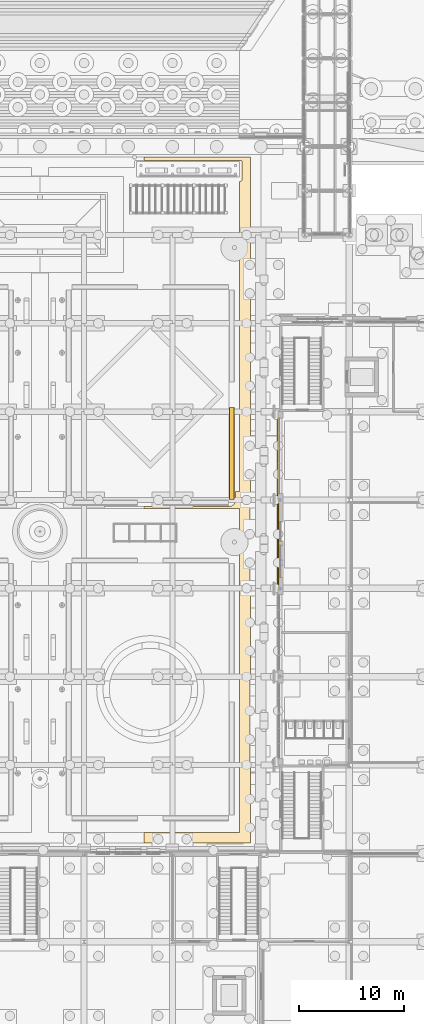
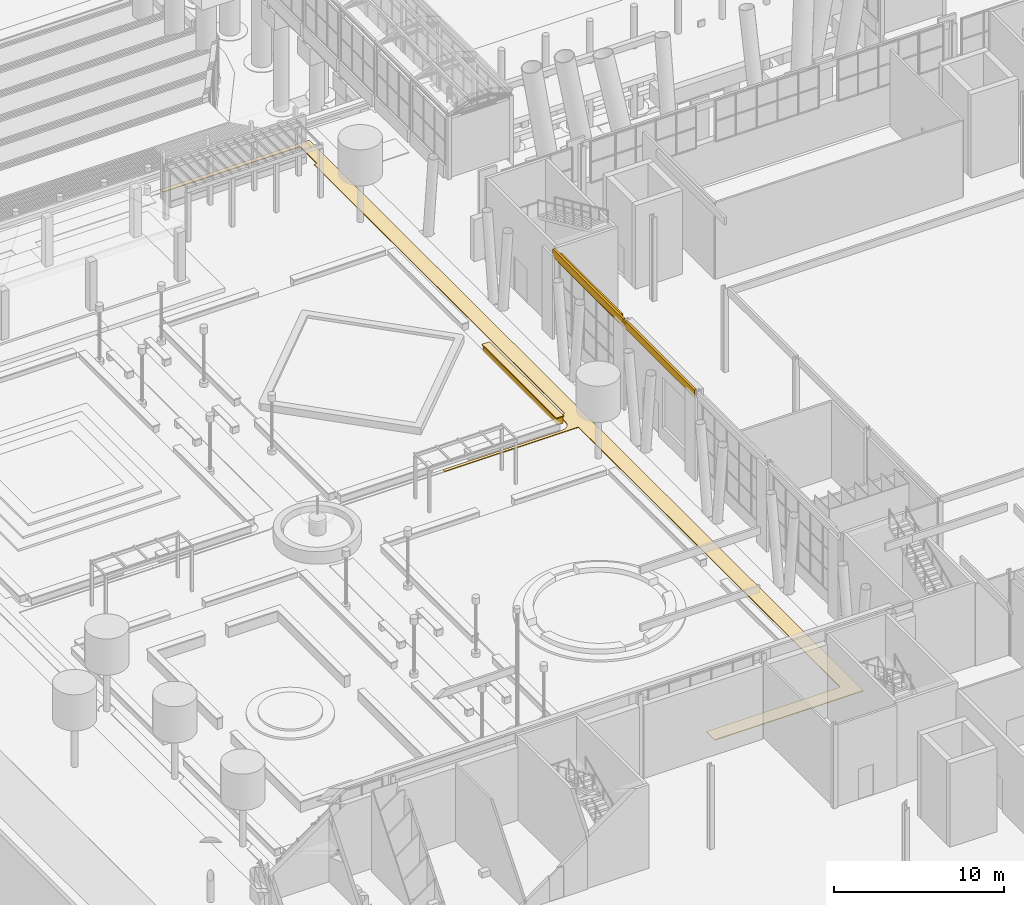
# One storey, part 143 of 222: 6 coverings.
"""IFC4 building model written with IfcOpenShell, lengths in metres."""

from ifc_helpers import new_model, si_unit, direction, frame, origin, place, context, subcontext, project, spatial, polyline, outline, extrude, material, layer, layer_set, type_object, element, save


model = new_model("IFC4")

# Units and contexts
model_context = context("Model", 3, precision=1e-05, world=origin(), true_north=direction((0.0, 1.0)))
body_context = subcontext(model_context, "Body", "Model", "MODEL_VIEW")
ifc_project = project(units=[si_unit("LENGTHUNIT", "METRE"), si_unit("AREAUNIT", "SQUARE_METRE"), si_unit("VOLUMEUNIT", "CUBIC_METRE"), si_unit("PLANEANGLEUNIT", "RADIAN"), si_unit("MASSUNIT", "GRAM", prefix="KILO")], contexts=[model_context])

# Site, building, storey
site_placement = place(None, origin())
site = spatial("IfcSite", under=ifc_project, at=site_placement, CompositionType="ELEMENT")
building_placement = place(site_placement, origin())
building = spatial("IfcBuilding", under=site, at=building_placement, Name="Sava Quay Ferry Terminal", CompositionType="ELEMENT")
storey_placement = place(building_placement, origin())
storey = spatial("IfcBuildingStorey", under=building, at=storey_placement, Name="L00", CompositionType="ELEMENT", Elevation=0.0)

# Coverings
ifc_material_1 = material(Name="Copper patinated")
ifc_layer_1 = layer(ifc_material_1, 0.25)
ifc_layer_set_1 = layer_set([ifc_layer_1], Name="Copper patinated")
covering_type_1 = type_object("IfcCoveringType", Name="Copper spandrel panel 250", PredefinedType="CLADDING", material=ifc_layer_set_1)
covering_1_placement = place(storey_placement, frame((43.699951171875, 84.60009765625, 5.39990234375), z_axis=(0.0, 0.0, 1.0), x_axis=(0.0, 1.0, 0.0)))
element("IfcCovering", 1, at=covering_1_placement, inside=storey, type_object=covering_type_1, Name="Spandrel panel D-W", PredefinedType="CLADDING", context=body_context, shape_type="SweptSolid", body=[
    extrude(outline(polyline([(0.0, 0.0), (7.199951171875, 0.0), (7.199951171875, 0.60009765625), (0.0, 0.60009765625), (0.0, 0.0)])), frame((0.0, 0.125, 0.0), z_axis=(0.0, -1.0, 0.0), x_axis=(1.0, 0.0, 0.0)), (0.0, 0.0, 1.0), 0.25),
])
ifc_material_2 = material(Name="Limestone Mutalj", Category="masonry")
ifc_layer_2 = layer(ifc_material_2, 0.14990234375)
ifc_layer_set_2 = layer_set([ifc_layer_2], Name="Limestone Mutalj")
covering_type_2 = type_object("IfcCoveringType", Name="Slab edge fascia 150", PredefinedType="CLADDING", material=ifc_layer_set_2)
covering_2_placement = place(storey_placement, frame((0.0, 0.0, 5.469970703125)))
element("IfcCovering", 2, at=covering_2_placement, inside=storey, type_object=covering_type_2, Name="Slab edge fascia", PredefinedType="CLADDING", context=body_context, shape_type="SweptSolid", body=[
    extrude(outline(polyline([(43.56201171875, 75.719970703125), (43.7119140625, 75.719970703125), (43.7119140625, 83.8798828125), (43.56201171875, 83.8798828125), (43.56201171875, 75.719970703125)])), origin(), (0.0, 0.0, 1.0), 0.530029296875),
])
covering_3_placement = place(storey_placement, frame((0.0, 0.0, 5.469970703125)))
element("IfcCovering", 3, at=covering_3_placement, inside=storey, type_object=covering_type_2, Name="Slab edge fascia", PredefinedType="CLADDING", context=body_context, shape_type="SweptSolid", body=[
    extrude(outline(polyline([(43.56201171875, 84.1201171875), (43.7119140625, 84.1201171875), (43.7119140625, 92.39990234375), (43.56201171875, 92.39990234375), (43.56201171875, 84.1201171875)])), origin(), (0.0, 0.0, 1.0), 0.530029296875),
])
ifc_material_3 = material(Name="Limestone Mutalj", Category="masonry")
ifc_layer_3 = layer(ifc_material_3, 0.050048828125)
ifc_layer_set_3 = layer_set([ifc_layer_3], Name="Limestone Mutalj")
covering_type_3 = type_object("IfcCoveringType", Name="Stone paving band 50", PredefinedType="FLOORING", material=ifc_layer_set_3)
covering_4_placement = place(storey_placement, origin())
element("IfcCovering", 4, at=covering_4_placement, inside=storey, type_object=covering_type_3, Name="Stone paving band", PredefinedType="FLOORING", context=body_context, shape_type="SweptSolid", body=[
    extrude(outline(polyline([(40.9970703125, 83.989990234375), (41.0, 84.0439453125), (41.0, 116.60009765625), (30.89990234375, 116.60009765625), (30.89990234375, 116.300048828125), (40.10009765625, 116.300048828125), (40.1201171875, 116.298095703125), (40.14697265625, 116.2880859375), (40.1630859375, 116.277099609375), (40.177001953125, 116.262939453125), (40.18798828125, 116.2470703125), (40.196044921875, 116.22900390625), (40.199951171875, 116.199951171875), (40.199951171875, 114.39990234375), (40.196044921875, 114.37109375), (40.18310546875, 114.343994140625), (40.1708984375, 114.3291015625), (40.14697265625, 114.31201171875), (40.12890625, 114.303955078125), (40.110107421875, 114.300048828125), (40.0, 114.300048828125), (40.0, 84.800048828125), (39.60009765625, 84.800048828125), (39.60009765625, 84.0), (39.596923828125, 83.94091796875), (39.587890625, 83.883056640625), (39.573974609375, 83.825927734375), (39.553955078125, 83.77001953125), (39.529052734375, 83.717041015625), (39.4990234375, 83.6669921875), (39.464111328125, 83.618896484375), (39.424072265625, 83.575927734375), (39.381103515625, 83.535888671875), (39.3330078125, 83.5009765625), (39.282958984375, 83.470947265625), (39.22998046875, 83.446044921875), (39.174072265625, 83.426025390625), (39.116943359375, 83.412109375), (39.05908203125, 83.403076171875), (39.0, 83.39990234375), (30.89990234375, 83.39990234375), (30.89990234375, 83.199951171875), (40.0, 83.199951171875), (40.0, 52.39990234375), (30.89990234375, 52.39990234375), (30.89990234375, 51.39990234375), (41.0, 51.39990234375), (41.0, 58.756103515625), (40.9970703125, 58.81005859375), (40.9970703125, 67.18994140625), (41.0, 67.243896484375), (41.0, 75.555908203125), (40.9970703125, 75.610107421875), (40.9970703125, 83.989990234375)])), origin(), (0.0, 0.0, 1.0), 0.050048828125),
])
ifc_material_4 = material(Name="Limestone Mutalj", Category="masonry")
ifc_layer_4 = layer(ifc_material_4, 0.080078125)
ifc_layer_set_4 = layer_set([ifc_layer_4], Name="Limestone Mutalj")
covering_type_4 = type_object("IfcCoveringType", Name="Terrace parterre coping 500", PredefinedType="MOLDING", material=ifc_layer_set_4)
covering_5_placement = place(storey_placement, frame((0.0, 0.0, 0.449951171875)))
element("IfcCovering", 5, at=covering_5_placement, inside=storey, type_object=covering_type_4, Name="Parterre wall coping", PredefinedType="MOLDING", context=body_context, shape_type="SweptSolid", body=[
    extrude(outline(polyline([(39.5, 92.800048828125), (39.0, 92.800048828125), (39.0, 84.050048828125), (39.5, 84.050048828125), (39.5, 92.800048828125)])), origin(), (0.0, 0.0, 1.0), 0.080078125),
])
ifc_material_5 = material(Name="Limestone Mutalj", Category="masonry")
ifc_layer_5 = layer(ifc_material_5, 0.39990234375)
ifc_layer_set_5 = layer_set([ifc_layer_5], Name="Limestone Mutalj")
covering_type_5 = type_object("IfcCoveringType", Name="Terrace parterre wall 400", PredefinedType="CLADDING", material=ifc_layer_set_5)
covering_6_placement = place(storey_placement, origin())
element("IfcCovering", 6, at=covering_6_placement, inside=storey, type_object=covering_type_5, Name="Parterre wall", PredefinedType="CLADDING", context=body_context, shape_type="SweptSolid", body=[
    extrude(outline(polyline([(39.449951171875, 92.800048828125), (39.050048828125, 92.800048828125), (39.050048828125, 84.050048828125), (39.449951171875, 84.050048828125), (39.449951171875, 92.800048828125)])), origin(), (0.0, 0.0, 1.0), 0.449951171875),
])

save(model, "model.ifc")
